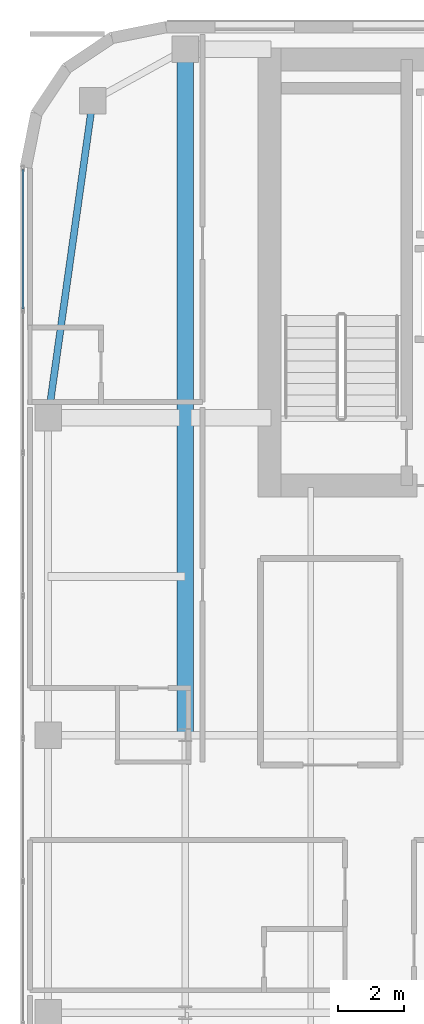
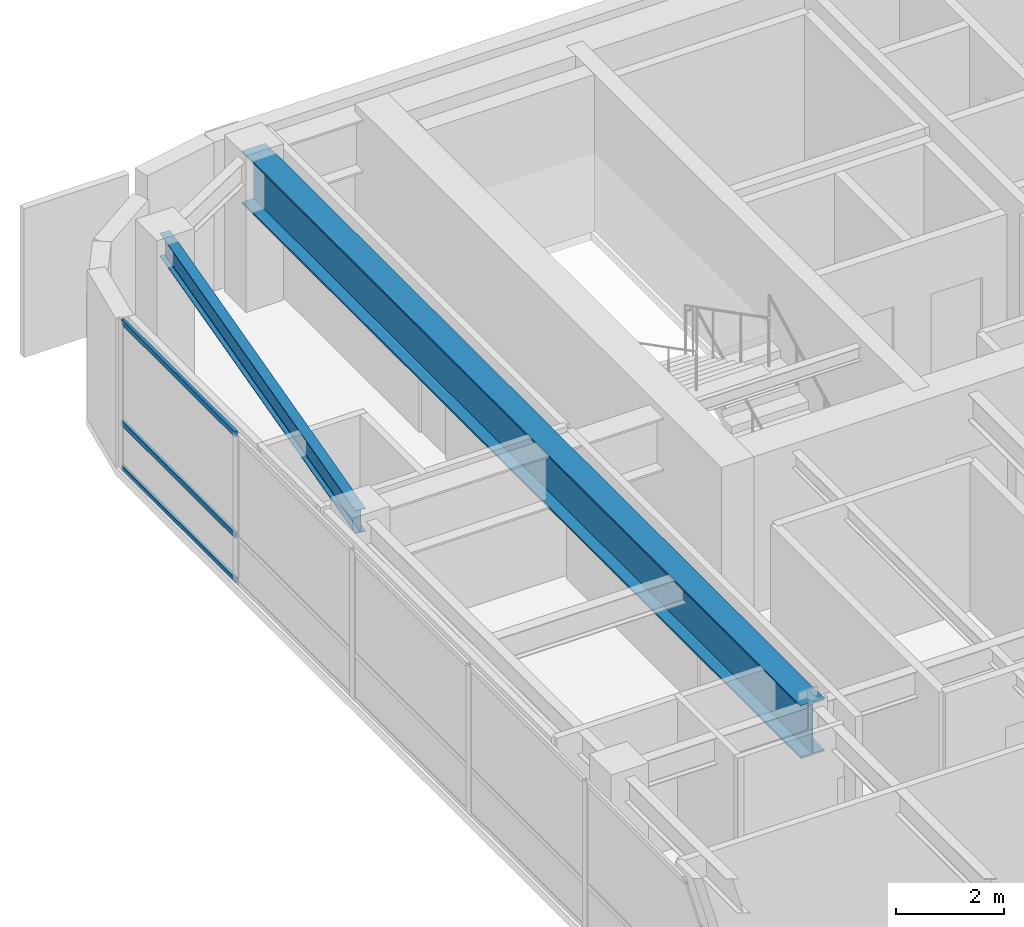
# One storey, part 14 of 28: 3 members, 2 beams, 1 element without a shape of its own.
"""IFC4 building model written with IfcOpenShell, lengths in metres."""

import ifcopenshell
import ifcopenshell.guid

model = None  # the IFC model being written
_history = None  # IfcOwnerHistory: only IFC2X3 demands one
_inside = {}  # id of a spatial element -> (the spatial element, [elements in it])
_under = {}  # id of a project, library or spatial element -> (it, [spatial elements below it])
_declared = {}  # id of a project -> (the project, [libraries it declares])
_typed = {}  # id of a type object -> (the type object, [elements of that type])
_made_of = {}  # id of a material, layer set ... -> (it, [elements and type objects made of it])


def new_model(schema):
    """Start an empty IFC model of exactly this schema.

    Asked for "IFC4X3", IfcOpenShell would pick the latest addendum, in which some entities
    have other attributes; the version numbers below select the first issue.
    IFC2X3 requires an IfcOwnerHistory on every rooted entity: one is made here for all.
    """
    global model, _history
    if schema == "IFC4X3":
        model = ifcopenshell.file(schema_version=(4, 3, 0, 0))
    else:
        model = ifcopenshell.file(schema=schema)
    _inside.clear()
    _under.clear()
    _declared.clear()
    _typed.clear()
    _made_of.clear()
    _history = None
    if model.schema == "IFC2X3":
        org = make("IfcOrganization", Name="unknown")
        user = make(
            "IfcPersonAndOrganization",
            ThePerson=make("IfcPerson", FamilyName="unknown"),
            TheOrganization=org,
        )
        app = make(
            "IfcApplication",
            ApplicationDeveloper=org,
            Version="unknown",
            ApplicationFullName="unknown",
            ApplicationIdentifier="unknown",
        )
        _history = make(
            "IfcOwnerHistory",
            OwningUser=user,
            OwningApplication=app,
            ChangeAction="ADDED",
            CreationDate=0,
        )
    return model


def make(cls, **values):
    """One entity of the class cls with the attributes given. An attribute that is None is left unset."""
    return model.create_entity(
        cls, **{name: value for name, value in values.items() if value is not None}
    )


def rooted(cls, **values):
    """An entity with a GlobalId (a new one), such as an element, a storey or a relation."""
    return make(cls, GlobalId=ifcopenshell.guid.new(), OwnerHistory=_history, **values)


def si_unit(unit_type, name, prefix=None):
    """IfcSIUnit, for example si_unit("LENGTHUNIT", "METRE", prefix="MILLI")."""
    return make("IfcSIUnit", UnitType=unit_type, Prefix=prefix, Name=name)


def assignment(units):
    """IfcUnitAssignment: the units of a project."""
    return None if units is None else make("IfcUnitAssignment", Units=units)


def point(xyz):
    """IfcCartesianPoint."""
    return None if xyz is None else make("IfcCartesianPoint", Coordinates=xyz)


def direction(xyz):
    """IfcDirection."""
    return None if xyz is None else make("IfcDirection", DirectionRatios=xyz)


def frame(location, z_axis=None, x_axis=None):
    """IfcAxis2Placement3D, a coordinate frame: its origin and axes. An axis left out is left unset."""
    return make(
        "IfcAxis2Placement3D",
        Location=point(location),
        Axis=direction(z_axis),
        RefDirection=direction(x_axis),
    )


def frame_2d(location, x_axis=None):
    """IfcAxis2Placement2D, a coordinate frame in the plane: its origin and x axis."""
    return make(
        "IfcAxis2Placement2D", Location=point(location), RefDirection=direction(x_axis)
    )


def origin():
    """The frame at (0, 0, 0) with its axes left unset."""
    return frame((0.0, 0.0, 0.0))


def origin_2d():
    """The frame at (0, 0) in the plane with its x axis left unset."""
    return frame_2d((0.0, 0.0))


def place(relative_to, where):
    """IfcLocalPlacement: puts the frame where relative to a parent placement (None: the world)."""
    return make(
        "IfcLocalPlacement", PlacementRelTo=relative_to, RelativePlacement=where
    )


def context(
    kind, dimensions, precision=None, world=None, true_north=None, identifier=None
):
    """IfcGeometricRepresentationContext, for example the 3D "Model" context."""
    return make(
        "IfcGeometricRepresentationContext",
        ContextIdentifier=identifier,
        ContextType=kind,
        CoordinateSpaceDimension=dimensions,
        Precision=precision,
        WorldCoordinateSystem=world,
        TrueNorth=true_north,
    )


def subcontext(parent, identifier, kind, view, scale=None):
    """IfcGeometricRepresentationSubContext, for example "Body" below "Model"."""
    return make(
        "IfcGeometricRepresentationSubContext",
        ContextIdentifier=identifier,
        ContextType=kind,
        ParentContext=parent,
        TargetScale=scale,
        TargetView=view,
    )


def project(units=None, contexts=None):
    """IfcProject with its units and contexts."""
    return rooted(
        "IfcProject",
        Name="project",
        RepresentationContexts=contexts,
        UnitsInContext=assignment(units),
    )


def spatial(cls, under=None, at=None, **own):
    """A site, building, storey or space (cls), placed at a placement, below another one or the project."""
    s = rooted(cls, ObjectPlacement=at, **own)
    if under is not None:
        _under.setdefault(under.id(), (under, []))[1].append(s)
    return s


def profile(cls, at=None, kind="AREA", **sizes):
    """A parametric profile (cls). Its sizes go by their IFC names, for example OverallWidth=200.0."""
    return make(cls, ProfileType=kind, Position=at, **sizes)


def hollow_rectangle(**sizes):
    """IfcRectangleHollowProfileDef."""
    return profile("IfcRectangleHollowProfileDef", **sizes)


def i_section(**sizes):
    """IfcIShapeProfileDef."""
    return profile("IfcIShapeProfileDef", **sizes)


def extrude(swept, where, along, depth):
    """IfcExtrudedAreaSolid: the profile swept, set in the frame where, extruded along a direction by depth."""
    return make(
        "IfcExtrudedAreaSolid",
        SweptArea=swept,
        Position=where,
        ExtrudedDirection=direction(along),
        Depth=depth,
    )


def shape(context_of_items, identifier, shape_type, items):
    """IfcShapeRepresentation: the items that make up one representation, for example the "Body"."""
    return make(
        "IfcShapeRepresentation",
        ContextOfItems=context_of_items,
        RepresentationIdentifier=identifier,
        RepresentationType=shape_type,
        Items=items,
    )


def source(mapping_origin, context_of_items, identifier, shape_type, items):
    """IfcRepresentationMap: a shape defined once, which mapped items show again and again."""
    return make(
        "IfcRepresentationMap",
        MappingOrigin=mapping_origin,
        MappedRepresentation=shape(context_of_items, identifier, shape_type, items),
    )


def transform(
    local_origin,
    x_axis=None,
    y_axis=None,
    z_axis=None,
    scale=None,
    scale2=None,
    scale3=None,
    uniform=True,
):
    """IfcCartesianTransformationOperator3D, or its non-uniform kind. x_axis, y_axis, z_axis: its Axis1, 2, 3."""
    if uniform:
        return make(
            "IfcCartesianTransformationOperator3D",
            Axis1=direction(x_axis),
            Axis2=direction(y_axis),
            LocalOrigin=point(local_origin),
            Scale=scale,
            Axis3=direction(z_axis),
        )
    return make(
        "IfcCartesianTransformationOperator3DnonUniform",
        Axis1=direction(x_axis),
        Axis2=direction(y_axis),
        LocalOrigin=point(local_origin),
        Scale=scale,
        Axis3=direction(z_axis),
        Scale2=scale2,
        Scale3=scale3,
    )


def mapped(mapping_source, mapping_target):
    """IfcMappedItem: shows the shape of a source again, moved by a transform."""
    return make(
        "IfcMappedItem", MappingSource=mapping_source, MappingTarget=mapping_target
    )


def material(Name=None, Category=None):
    """IfcMaterial."""
    return make("IfcMaterial", Name=Name, Category=Category)


def layer(
    of_material, thickness, ventilated=None, Name=None, Category=None, Priority=None
):
    """IfcMaterialLayer: one layer of a wall or slab, of a material (None: an air gap)."""
    return make(
        "IfcMaterialLayer",
        Material=of_material,
        LayerThickness=thickness,
        IsVentilated=ventilated,
        Name=Name,
        Category=Category,
        Priority=Priority,
    )


def layer_set(layers, Name=None):
    """IfcMaterialLayerSet."""
    return make("IfcMaterialLayerSet", MaterialLayers=layers, LayerSetName=Name)


def material_profile(
    of_material, cross_section, Name=None, Category=None, Priority=None
):
    """IfcMaterialProfile: a cross section and its material."""
    return make(
        "IfcMaterialProfile",
        Name=Name,
        Material=of_material,
        Profile=cross_section,
        Priority=Priority,
        Category=Category,
    )


def profile_set(profiles, Name=None, composite=None):
    """IfcMaterialProfileSet."""
    return make(
        "IfcMaterialProfileSet",
        Name=Name,
        MaterialProfiles=profiles,
        CompositeProfile=composite,
    )


def made_of(thing, what):
    """Note that an element or type object is made of a material, layer set ...; save() writes the relation."""
    if what is not None:
        _made_of.setdefault(what.id(), (what, []))[1].append(thing)
    return thing


def type_object(cls, material=None, **own):
    """A type object (cls), such as IfcWallType, which elements share."""
    return made_of(rooted(cls, **own), material)


def type_shapes(of_type, sources):
    """Give a type object the sources (RepresentationMaps) that its elements show as mapped items."""
    of_type.RepresentationMaps = sources


def element(
    cls,
    number,
    at=None,
    inside=None,
    cuts=None,
    type_object=None,
    material=None,
    context=None,
    identifier="Body",
    shape_type=None,
    held_by="IfcProductDefinitionShape",
    body=None,
    shapes=None,
    **own,
):
    """One element of the class cls, such as IfcWall. Its Tag is "e" and its number.

    at: its placement. inside: the storey or other place that contains it. cuts: it is an
    opening in that element (IfcRelVoidsElement). A single representation is given by context,
    identifier, shape_type and body (its items); several are given by shapes. held_by: the class
    of the entity that holds the representations. save() writes the other relations.
    """
    e = rooted(cls, Tag="e%d" % number, ObjectPlacement=at, **own)
    if body is not None:
        shapes = [shape(context, identifier, shape_type, body)]
    if shapes is not None:
        e.Representation = make(held_by, Representations=shapes)
    if inside is not None:
        _inside.setdefault(inside.id(), (inside, []))[1].append(e)
    if cuts is not None:
        rooted(
            "IfcRelVoidsElement", RelatingBuildingElement=cuts, RelatedOpeningElement=e
        )
    if type_object is not None:
        _typed.setdefault(type_object.id(), (type_object, []))[1].append(e)
    return made_of(e, material)


def aggregate(whole, parts):
    """IfcRelAggregates: a whole, such as a stair, and the parts it consists of."""
    return rooted("IfcRelAggregates", RelatingObject=whole, RelatedObjects=parts)


def save(model, path):
    """Write the relations noted so far, then the file.

    IfcRelAggregates (storeys below a building ...), IfcRelContainedInSpatialStructure (elements
    in a storey), IfcRelDefinesByType, IfcRelAssociatesMaterial and IfcRelDeclares: one each for
    every whole, place, type object, material and project.
    """
    for whole, parts in _under.values():
        aggregate(whole, parts)
    for where, things in _inside.values():
        rooted(
            "IfcRelContainedInSpatialStructure",
            RelatedElements=things,
            RelatingStructure=where,
        )
    for kind, things in _typed.values():
        rooted("IfcRelDefinesByType", RelatedObjects=things, RelatingType=kind)
    for what, things in _made_of.values():
        rooted("IfcRelAssociatesMaterial", RelatedObjects=things, RelatingMaterial=what)
    for by, libraries in _declared.values():
        rooted("IfcRelDeclares", RelatingContext=by, RelatedDefinitions=libraries)
    model.write(path)


model = new_model("IFC4")

# Units and contexts
model_context = context("Model", 3, precision=1e-05, world=origin(), true_north=direction((0.0, 1.0)))
body_context = subcontext(model_context, "Body", "Model", "MODEL_VIEW")
ifc_project = project(units=[si_unit("LENGTHUNIT", "METRE"), si_unit("AREAUNIT", "SQUARE_METRE"), si_unit("VOLUMEUNIT", "CUBIC_METRE"), si_unit("PLANEANGLEUNIT", "RADIAN"), si_unit("MASSUNIT", "GRAM", prefix="KILO")], contexts=[model_context])

# Site, building, storey
site_placement = place(None, origin())
site = spatial("IfcSite", under=ifc_project, at=site_placement, CompositionType="ELEMENT")
building_placement = place(site_placement, origin())
building = spatial("IfcBuilding", under=site, at=building_placement, Name="Tolvann Quenvar Hotel", CompositionType="ELEMENT")
storey_placement = place(building_placement, frame((0.0, 0.0, 154.14990234375)))
storey = spatial("IfcBuildingStorey", under=building, at=storey_placement, Name="L40", CompositionType="ELEMENT", Elevation=154.14990234375)

# Beams
ifc_material_1 = material(Name="Steel Grade 350", Category="steel")
ifc_material_profile_1 = material_profile(ifc_material_1, i_section(OverallWidth=0.5, OverallDepth=1.199951171875, WebThickness=0.01611328125, FlangeThickness=0.0400390625, at=origin_2d()), Name="1200WB455")
ifc_profile_set_1 = profile_set([ifc_material_profile_1], Name="Steel Grade 350")
beam_type_1 = type_object("IfcBeamType", Name="BM_TG_1200WB455", PredefinedType="USERDEFINED", material=ifc_profile_set_1)
shared_shape_1 = source(origin(), body_context, "Body", "SweptSolid", [
    extrude(i_section(OverallWidth=0.5, OverallDepth=1.199951171875, WebThickness=0.01611328125, FlangeThickness=0.0400390625, at=origin_2d()), origin(), (0.0, 0.0, 1.0), 20.75),
])
type_shapes(beam_type_1, [shared_shape_1])
beam_1_placement = place(storey_placement, frame((7.60009765625, 24.39990234375, 2.77001953125), z_axis=(0.0, 1.0, 0.0), x_axis=(-1.0, 0.0, 0.0)))
element("IfcBeam", 1, at=beam_1_placement, inside=storey, type_object=beam_type_1, Name="BM-L40-FLK-WC", ObjectType="TRANSFER GIRDER", PredefinedType="USERDEFINED", context=body_context, shape_type="MappedRepresentation", body=[
    mapped(shared_shape_1, transform((0.0, 0.0, 0.0), x_axis=(1.0, 0.0, 0.0), y_axis=(0.0, 1.0, 0.0), z_axis=(0.0, 0.0, 1.0), scale=1.0)),
])
ifc_material_profile_2 = material_profile(ifc_material_1, i_section(OverallWidth=0.208984375, OverallDepth=0.528076171875, WebThickness=0.009521484375, FlangeThickness=0.01318359375, FilletRadius=0.013916015625, at=origin_2d()), Name="530UB82")
ifc_profile_set_2 = profile_set([ifc_material_profile_2], Name="Steel Grade 350")
beam_type_2 = type_object("IfcBeamType", Name="BM_SPAND_530UB82", PredefinedType="SPANDREL", material=ifc_profile_set_2)
shared_shape_2 = source(origin(), body_context, "Body", "SweptSolid", [
    extrude(i_section(OverallWidth=0.208984375, OverallDepth=0.528076171875, WebThickness=0.009521484375, FlangeThickness=0.01318359375, FilletRadius=0.013916015625, at=origin_2d()), origin(), (0.0, 0.0, 1.0), 9.694580078125),
])
type_shapes(beam_type_2, [shared_shape_2])
beam_2_placement = place(storey_placement, frame((3.449951171875, 34.0, 3.106201171875), z_axis=(0.139263320262, 0.990255385055, 0.0), x_axis=(-0.990255385055, 0.139263320262, 0.0)))
element("IfcBeam", 2, at=beam_2_placement, inside=storey, type_object=beam_type_2, Name="BM-L40-FLK-W2", PredefinedType="SPANDREL", context=body_context, shape_type="MappedRepresentation", body=[
    mapped(shared_shape_2, transform((0.0, 0.0, 0.0), x_axis=(1.0, 0.0, 0.0), y_axis=(0.0, 1.0, 0.0), z_axis=(0.0, 0.0, 1.0), scale=1.0)),
])

# Curtain wall, members
ifc_material_2 = material(Name="Thermally broken anodised architectural aluminium 6063-T6 and laminated low-E glass", Category="aluminium")
ifc_layer = layer(ifc_material_2, 0.179931640625)
ifc_layer_set = layer_set([ifc_layer], Name="Thermally broken anodised architectural aluminium 6063-T6 and laminated low-E glass")
curtain_wall_type = type_object("IfcCurtainWallType", Name="CW_SYS_BAND_04", PredefinedType="USERDEFINED", material=ifc_layer_set)
curtain_wall_placement = place(storey_placement, origin())
curtain_wall = element("IfcCurtainWall", 3, at=curtain_wall_placement, inside=storey, type_object=curtain_wall_type, Name="Curtain Wall CW-BAND-04 (CWR-L40-E23)", ObjectType="UNITISED CURTAIN WALL", PredefinedType="USERDEFINED")
ifc_material_3 = material(Name="Anodised architectural aluminium 6063-T6 framing", Category="aluminium")
ifc_material_profile_3 = material_profile(ifc_material_3, hollow_rectangle(XDim=0.06005859375, YDim=0.1201171875, WallThickness=0.00341796875, at=origin_2d()), Name="120x60x3.5RHS")
ifc_profile_set_3 = profile_set([ifc_material_profile_3], Name="Anodised architectural aluminium 6063-T6 framing")
member_type = type_object("IfcMemberType", Name="CW_TRAN_120x60", PredefinedType="USERDEFINED", material=ifc_profile_set_3)
shared_shape_3 = source(origin(), body_context, "Body", "SweptSolid", [
    extrude(hollow_rectangle(XDim=0.06005859375, YDim=0.1201171875, WallThickness=0.00341796875, at=origin_2d()), origin(), (0.0, 0.0, 1.0), 4.215576171875),
])
type_shapes(member_type, [shared_shape_3])
member_1_placement = place(storey_placement, frame((2.68994140625, 41.5126953125, 0.030029296875), z_axis=(0.0, -1.0, 0.0), x_axis=(1.0, 0.0, 0.0)))
member_1 = element("IfcMember", 4, at=member_1_placement, type_object=member_type, Name="CW-BAND-04 transom 1.1", ObjectType="TRANSOM", PredefinedType="USERDEFINED", context=body_context, shape_type="MappedRepresentation", body=[
    mapped(shared_shape_3, transform((0.0, 0.0, 0.0), x_axis=(1.0, 0.0, 0.0), y_axis=(0.0, 1.0, 0.0), z_axis=(0.0, 0.0, 1.0), scale=1.0)),
])
member_2_placement = place(storey_placement, frame((2.68994140625, 41.5126953125, 1.050048828125), z_axis=(0.0, -1.0, 0.0), x_axis=(1.0, 0.0, 0.0)))
member_2 = element("IfcMember", 5, at=member_2_placement, type_object=member_type, Name="CW-BAND-04 transom 1.2", ObjectType="TRANSOM", PredefinedType="USERDEFINED", context=body_context, shape_type="MappedRepresentation", body=[
    mapped(shared_shape_3, transform((0.0, 0.0, 0.0), x_axis=(1.0, 0.0, 0.0), y_axis=(0.0, 1.0, 0.0), z_axis=(0.0, 0.0, 1.0), scale=1.0)),
])
member_3_placement = place(storey_placement, frame((2.68994140625, 41.5126953125, 3.340087890625), z_axis=(0.0, -1.0, 0.0), x_axis=(1.0, 0.0, 0.0)))
member_3 = element("IfcMember", 6, at=member_3_placement, type_object=member_type, Name="CW-BAND-04 transom 1.3", ObjectType="TRANSOM", PredefinedType="USERDEFINED", context=body_context, shape_type="MappedRepresentation", body=[
    mapped(shared_shape_3, transform((0.0, 0.0, 0.0), x_axis=(1.0, 0.0, 0.0), y_axis=(0.0, 1.0, 0.0), z_axis=(0.0, 0.0, 1.0), scale=1.0)),
])
aggregate(curtain_wall, [member_1, member_2, member_3])

save(model, "model.ifc")
